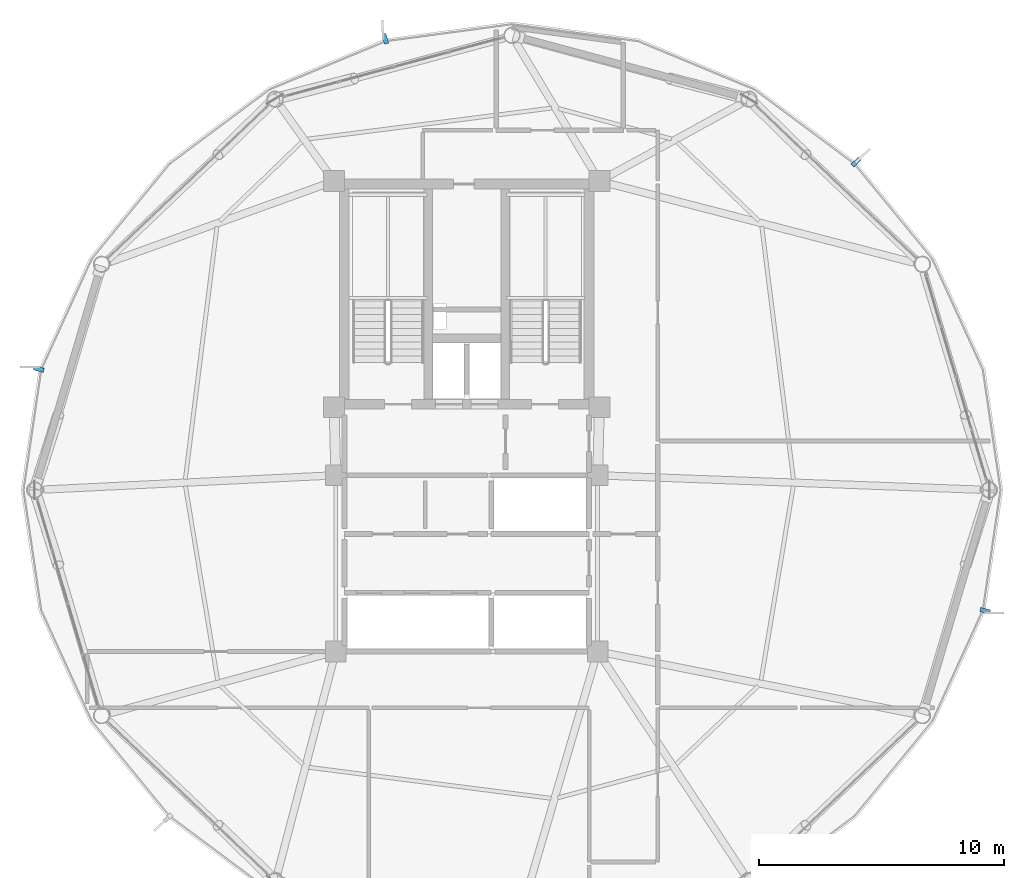
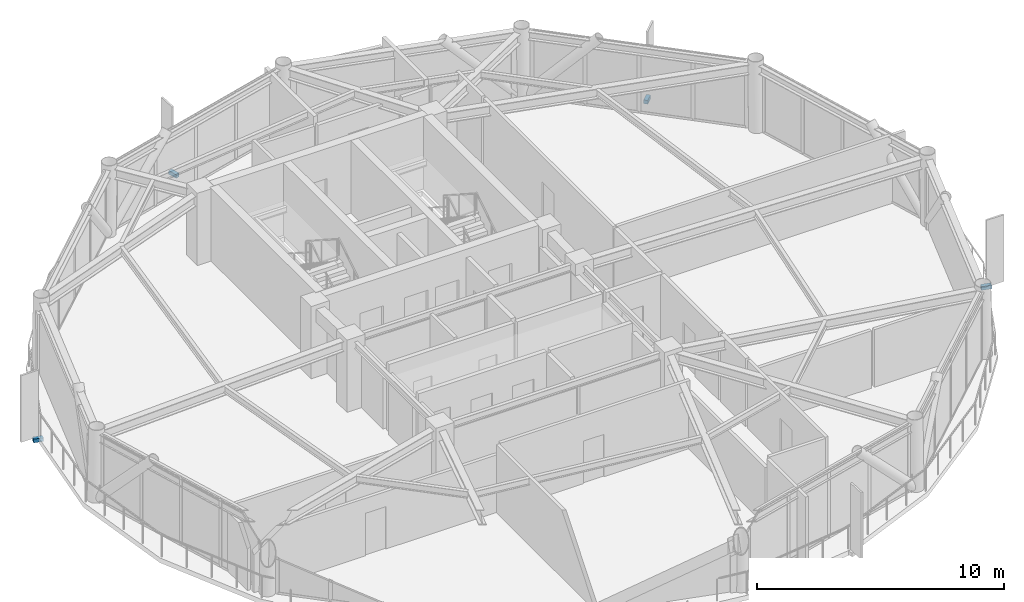
# One storey, part 25 of 28: 4 discrete accessories.
"""IFC4 building model written with IfcOpenShell, lengths in metres."""

from ifc_helpers import new_model, si_unit, direction, frame, origin, origin_2d, place, context, subcontext, project, spatial, rectangle, extrude, source, transform, mapped, material, type_object, type_shapes, element, save


model = new_model("IFC4")

# Units and contexts
model_context = context("Model", 3, precision=1e-05, world=origin(), true_north=direction((0.0, 1.0)))
body_context = subcontext(model_context, "Body", "Model", "MODEL_VIEW")
ifc_project = project(units=[si_unit("LENGTHUNIT", "METRE"), si_unit("AREAUNIT", "SQUARE_METRE"), si_unit("VOLUMEUNIT", "CUBIC_METRE"), si_unit("PLANEANGLEUNIT", "RADIAN"), si_unit("MASSUNIT", "GRAM", prefix="KILO")], contexts=[model_context])

# Site, building, storey
site_placement = place(None, origin())
site = spatial("IfcSite", under=ifc_project, at=site_placement, CompositionType="ELEMENT")
building_placement = place(site_placement, origin())
building = spatial("IfcBuilding", under=site, at=building_placement, Name="Varnakorn Sky Granary", CompositionType="ELEMENT")
storey_placement = place(building_placement, frame((0.0, 0.0, 193.199951171875)))
storey = spatial("IfcBuildingStorey", under=building, at=storey_placement, Name="L48", CompositionType="ELEMENT", Elevation=193.199951171875)

# Discrete accessories
ifc_material = material(Name="Steel S355JR", Category="steel")
discrete_accessory_type = type_object("IfcDiscreteAccessoryType", Name="AC-BRK-01", PredefinedType="BRACKET", material=ifc_material)
shared_shape = source(origin(), body_context, "Body", "SweptSolid", [
    extrude(rectangle(XDim=0.179931640625, YDim=0.419921875, at=origin_2d()), origin(), (0.0, 0.0, 1.0), 0.179931640625),
])
type_shapes(discrete_accessory_type, [shared_shape])
for number, where, z_axis, x_axis, name in (
    (1, (18.909912109375, 13.398193359375, -0.19970703125), (0.0, 0.0, 1.0), (-0.689866661671, 0.723936453782, 0.0), "Facade Solar-Screen Outrigger Bracket L48-02"),
    (2, (-0.33203125, 18.435302734375, -0.19970703125), (0.0, 0.0, 1.0), (-0.962690862536, -0.270603590495, 0.0), "Facade Solar-Screen Outrigger Bracket L48-04"),
    (3, (-14.484375, 4.9384765625, -0.19970703125), (0.0, 0.0, 1.0), (-0.247480321456, -0.968892920034, 0.0), "Facade Solar-Screen Outrigger Bracket L48-06"),
    (4, (24.184326171875, -4.9384765625, -0.19970703125), (0.0, 0.0, 1.0), (0.247480321456, 0.968892920034, 0.0), "Facade Solar-Screen Outrigger Bracket L48-12"),
):
    element("IfcDiscreteAccessory", number, at=place(storey_placement, frame(where, z_axis=z_axis, x_axis=x_axis)), inside=storey, type_object=discrete_accessory_type, Name=name, PredefinedType="BRACKET", context=body_context, shape_type="MappedRepresentation", body=[
        mapped(shared_shape, transform((0.0, 0.0, 0.0), x_axis=(1.0, 0.0, 0.0), y_axis=(0.0, 1.0, 0.0), z_axis=(0.0, 0.0, 1.0), scale=1.0)),
    ])

save(model, "model.ifc")
